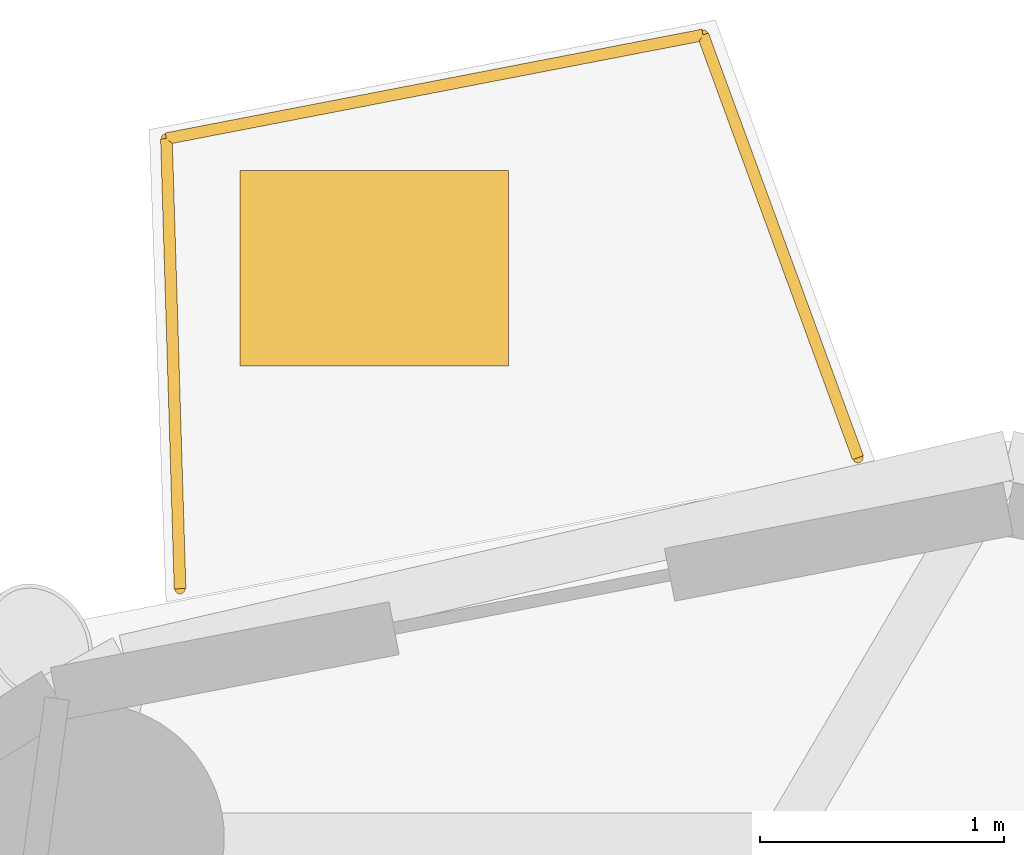
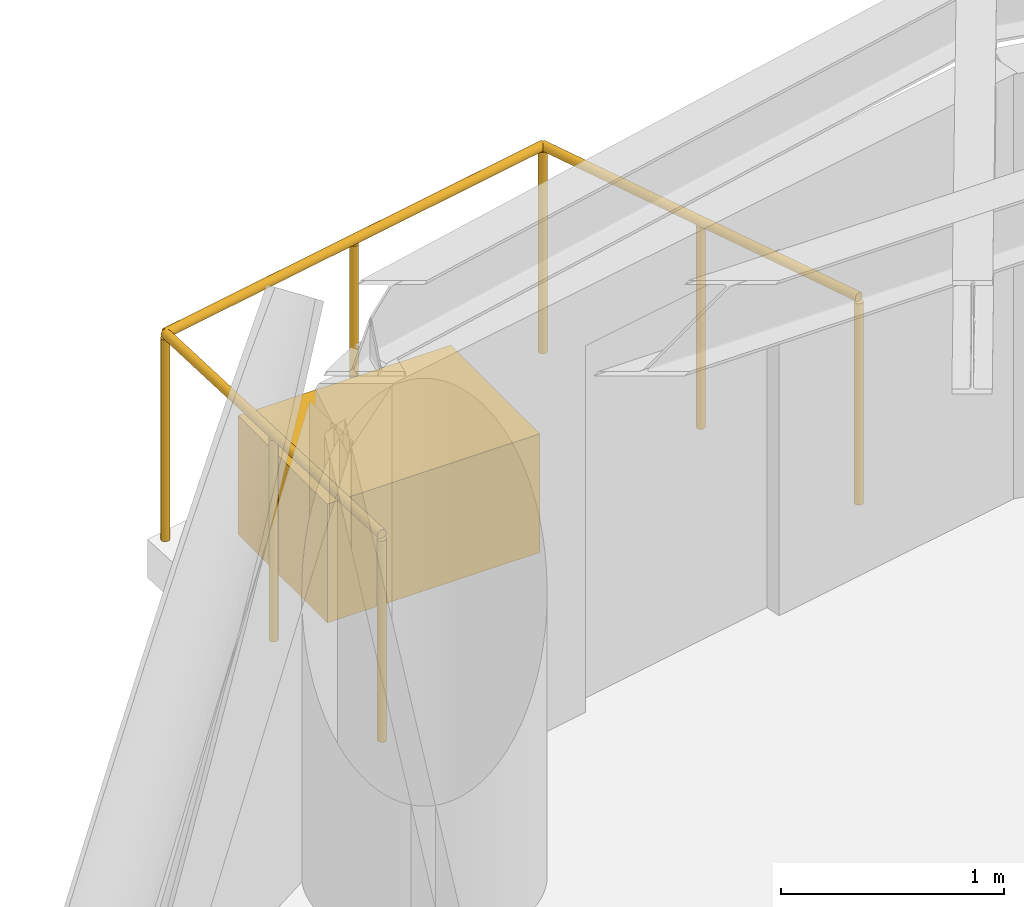
# One storey, part 15 of 15: 1 covering, 1 railing.
"""IFC4 building model written with IfcOpenShell, lengths in metres."""

from ifc_helpers import new_model, si_unit, direction, frame, origin, origin_2d, place, context, subcontext, project, spatial, rectangle, circle, extrude, source, transform, mapped, material, layer, layer_set, type_object, element, save


model = new_model("IFC4")

# Units and contexts
model_context = context("Model", 3, precision=1e-05, world=origin(), true_north=direction((0.0, 1.0)))
body_context = subcontext(model_context, "Body", "Model", "MODEL_VIEW")
ifc_project = project(units=[si_unit("LENGTHUNIT", "METRE"), si_unit("AREAUNIT", "SQUARE_METRE"), si_unit("VOLUMEUNIT", "CUBIC_METRE"), si_unit("PLANEANGLEUNIT", "RADIAN"), si_unit("MASSUNIT", "GRAM", prefix="KILO")], contexts=[model_context])

# Site, building, storey
site_placement = place(None, origin())
site = spatial("IfcSite", under=ifc_project, at=site_placement, CompositionType="ELEMENT")
building_placement = place(site_placement, origin())
building = spatial("IfcBuilding", under=site, at=building_placement, Name="Cununo Teusaquillo Station Towers", CompositionType="ELEMENT")
storey_placement = place(building_placement, frame((0.0, 0.0, 199.570068359375)))
storey = spatial("IfcBuildingStorey", under=building, at=storey_placement, Name="L63", CompositionType="ELEMENT", Elevation=199.570068359375)

# Railing
ifc_material_1 = material(Name="Anodised dark bronze aluminium EN AW-6063-T6", Category="aluminium")
railing_type = type_object("IfcRailingType", Name="RL-EXT-GUARD", PredefinedType="GUARDRAIL", material=ifc_material_1)
railing_placement = place(storey_placement, frame((13.107421875, 39.643798828125, 0.0)))
element("IfcRailing", 1, at=railing_placement, inside=storey, type_object=railing_type, Name="L63 Tower A Balcony Guardrail C05", PredefinedType="GUARDRAIL", context=body_context, shape_type="SweptSolid", body=[
    extrude(circle(Radius=0.02392578125, at=origin_2d()), frame((0.0, 0.0, 1.1259765625), z_axis=(-0.030305152758, 0.999540693377, 0.0), x_axis=(-0.999540693377, -0.030305152758, 0.0)), (0.0, 0.0, 1.0), 1.8447265625),
    extrude(circle(Radius=0.02392578125, at=origin_2d()), frame((-0.055908203125, 1.843994140625, 1.1259765625), z_axis=(0.981834932982, 0.18973709278, 0.0), x_axis=(-0.18973709278, 0.981834932982, 0.0)), (0.0, 0.0, 1.0), 2.239013671875),
    extrude(circle(Radius=0.02392578125, at=origin_2d()), frame((2.142333984375, 2.268798828125, 1.1259765625), z_axis=(0.344196323776, -0.938897699805, 0.0), x_axis=(0.938897699805, 0.344196323776, 0.0)), (0.0, 0.0, 1.0), 1.844970703125),
    extrude(circle(Radius=0.02099609375, at=origin_2d()), origin(), (0.0, 0.0, 1.0), 1.101806640625),
    extrude(circle(Radius=0.02099609375, at=origin_2d()), frame((-0.02783203125, 0.921875, 0.0)), (0.0, 0.0, 1.0), 1.101806640625),
    extrude(circle(Radius=0.02099609375, at=origin_2d()), frame((-0.055908203125, 1.843994140625, 0.0)), (0.0, 0.0, 1.0), 1.101806640625),
    extrude(circle(Radius=0.02099609375, at=origin_2d()), frame((1.043212890625, 2.056396484375, 0.0)), (0.0, 0.0, 1.0), 1.101806640625),
    extrude(circle(Radius=0.02099609375, at=origin_2d()), frame((2.142333984375, 2.268798828125, 0.0)), (0.0, 0.0, 1.0), 1.101806640625),
    extrude(circle(Radius=0.02099609375, at=origin_2d()), frame((2.4599609375, 1.40283203125, 0.0)), (0.0, 0.0, 1.0), 1.101806640625),
    extrude(circle(Radius=0.02099609375, at=origin_2d()), frame((2.77734375, 0.53662109375, 0.0)), (0.0, 0.0, 1.0), 1.101806640625),
])

# Covering
ifc_material_2 = material(Name="Architectural GRC planter shell and engineered root-zone substrate", Category="concrete")
ifc_layer = layer(ifc_material_2, 0.64990234375)
ifc_layer_set = layer_set([ifc_layer], Name="Architectural GRC planter shell and engineered root-zone substrate")
covering_type = type_object("IfcCoveringType", Name="COV-TREE-PLANTER", PredefinedType="CLADDING", material=ifc_layer_set)
shared_shape = source(origin(), body_context, "Body", "SweptSolid", [
    extrude(rectangle(XDim=1.10009765625, YDim=0.800048828125, at=origin_2d()), origin(), (0.0, 0.0, 1.0), 0.64990234375),
])
covering_placement = place(storey_placement, frame((13.902099609375, 40.95654296875, 0.0), z_axis=(0.0, 0.0, 1.0), x_axis=(1.0, 0.0, 0.0)))
element("IfcCovering", 2, at=covering_placement, inside=storey, type_object=covering_type, Name="L63 Tower A Balcony Tree PLANTER C05", PredefinedType="CLADDING", context=body_context, shape_type="MappedRepresentation", body=[
    mapped(shared_shape, transform((0.0, 0.0, 0.0), x_axis=(1.0, 0.0, 0.0), y_axis=(0.0, 1.0, 0.0), z_axis=(0.0, 0.0, 1.0), scale=1.0)),
])

save(model, "model.ifc")
